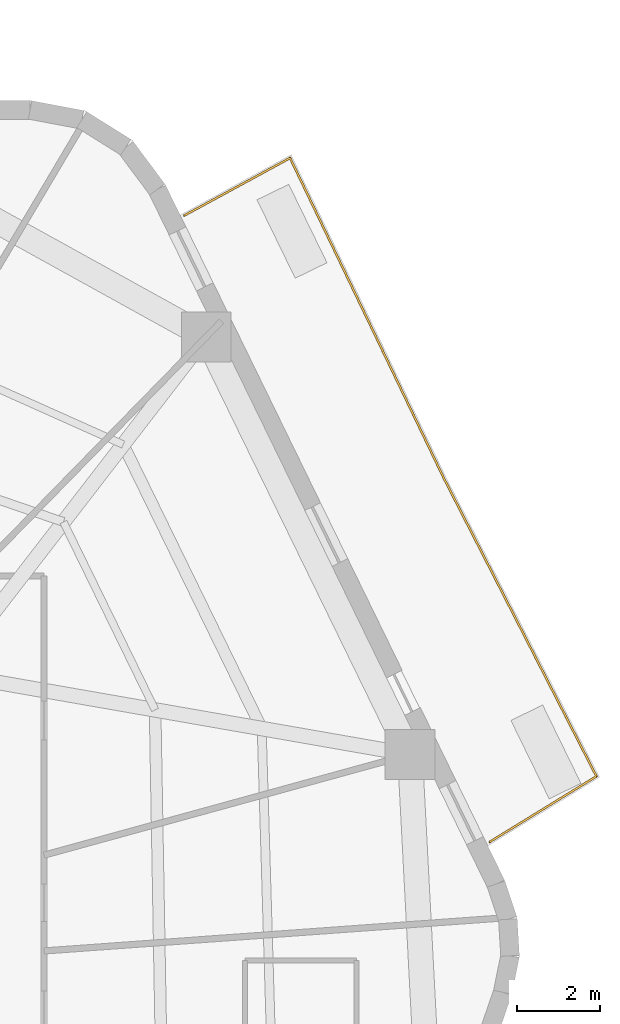
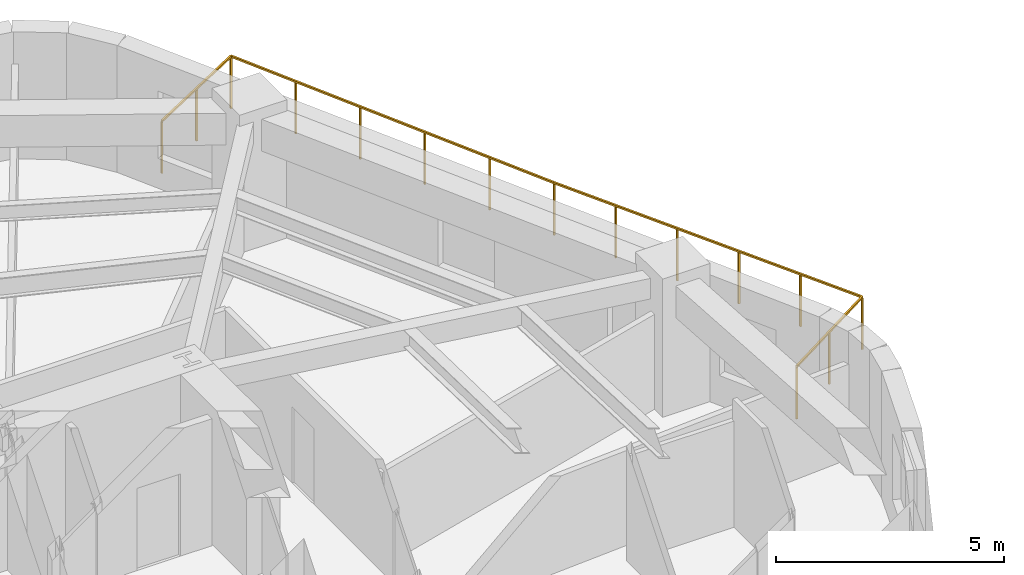
# One storey, part 10 of 10: 1 railing.
"""IFC4 building model written with IfcOpenShell, lengths in metres."""

from ifc_helpers import new_model, si_unit, direction, frame, origin, origin_2d, place, context, subcontext, project, spatial, rectangle, extrude, material, layer, layer_set, type_object, element, save


model = new_model("IFC4")

# Units and contexts
model_context = context("Model", 3, precision=1e-05, world=origin(), true_north=direction((0.0, 1.0)))
body_context = subcontext(model_context, "Body", "Model", "MODEL_VIEW")
ifc_project = project(units=[si_unit("LENGTHUNIT", "METRE"), si_unit("AREAUNIT", "SQUARE_METRE"), si_unit("VOLUMEUNIT", "CUBIC_METRE"), si_unit("PLANEANGLEUNIT", "RADIAN"), si_unit("MASSUNIT", "GRAM", prefix="KILO")], contexts=[model_context])

# Site, building, storey
site_placement = place(None, origin())
site = spatial("IfcSite", under=ifc_project, at=site_placement, CompositionType="ELEMENT")
building_placement = place(site_placement, origin())
building = spatial("IfcBuilding", under=site, at=building_placement, Name="Kilnhurst Terrace Hotel", CompositionType="ELEMENT")
storey_placement = place(building_placement, frame((0.0, 0.0, 95.10009765625)))
storey = spatial("IfcBuildingStorey", under=building, at=storey_placement, Name="L22", CompositionType="ELEMENT", Elevation=95.10009765625)

# Railing
ifc_material = material(Name="Laminated SentryGlas and Stainless Steel AISI 316L Balustrade", Category="steel")
ifc_layer = layer(ifc_material, 0.070068359375, Name="Laminated SentryGlas and Stainless Steel AISI 316L Balustrade")
ifc_layer_set = layer_set([ifc_layer], Name="Laminated SentryGlas and Stainless Steel AISI 316L Balustrade")
railing_type = type_object("IfcRailingType", Name="RLG-BAL-1420", PredefinedType="BALUSTRADE", material=ifc_layer_set)
railing_placement = place(storey_placement, frame((14.722900390625, 18.529541015625, 0.0)))
element("IfcRailing", 1, at=railing_placement, inside=storey, type_object=railing_type, Name="L22 Exterior Terrace Guardrail BAL-L1A.1", PredefinedType="BALUSTRADE", context=body_context, shape_type="SweptSolid", body=[
    extrude(rectangle(XDim=0.048095703125, YDim=0.048095703125, at=origin_2d()), frame((0.0, 0.0, 1.39599609375), z_axis=(0.878553207741, 0.477644492451, 0.0), x_axis=(-0.477644492451, 0.878553207741, 0.0)), (0.0, 0.0, 1.0), 2.90478515625),
    extrude(rectangle(XDim=0.048095703125, YDim=0.048095703125, at=origin_2d()), frame((2.552001953125, 1.387451171875, 1.39599609375), z_axis=(0.43291229924, -0.901436043858, 0.0), x_axis=(0.901436043858, 0.43291229924, 0.0)), (0.0, 0.0, 1.0), 8.583251953125),
    extrude(rectangle(XDim=0.048095703125, YDim=0.048095703125, at=origin_2d()), frame((6.267822265625, -6.349853515625, 1.39599609375), z_axis=(0.514495755428, -0.857492925713, 0.0), x_axis=(0.857492925713, 0.514495755428, 0.0)), (0.0, 0.0, 1.0), 0.00146484375),
    extrude(rectangle(XDim=0.048095703125, YDim=0.048095703125, at=origin_2d()), frame((6.2685546875, -6.35107421875, 1.39599609375), z_axis=(0.455744437697, -0.890110671494, 0.0), x_axis=(0.890110671494, 0.455744437697, 0.0)), (0.0, 0.0, 1.0), 8.039794921875),
    extrude(rectangle(XDim=0.048095703125, YDim=0.048095703125, at=origin_2d()), frame((9.9326171875, -13.50732421875, 1.39599609375), z_axis=(-0.85191630472, -0.523677963784, 0.0), x_axis=(0.523677963784, -0.85191630472, 0.0)), (0.0, 0.0, 1.0), 3.0205078125),
    extrude(rectangle(XDim=0.0419921875, YDim=0.0419921875, at=origin_2d()), origin(), (0.0, 0.0, 1.0), 1.371826171875),
    extrude(rectangle(XDim=0.0419921875, YDim=0.0419921875, at=origin_2d()), frame((1.27587890625, 0.69384765625, 0.0)), (0.0, 0.0, 1.0), 1.371826171875),
    extrude(rectangle(XDim=0.0419921875, YDim=0.0419921875, at=origin_2d()), frame((2.552001953125, 1.387451171875, 0.0)), (0.0, 0.0, 1.0), 1.371826171875),
    extrude(rectangle(XDim=0.0419921875, YDim=0.0419921875, at=origin_2d()), frame((3.295166015625, -0.159912109375, 0.0)), (0.0, 0.0, 1.0), 1.371826171875),
    extrude(rectangle(XDim=0.0419921875, YDim=0.0419921875, at=origin_2d()), frame((4.038330078125, -1.70751953125, 0.0)), (0.0, 0.0, 1.0), 1.371826171875),
    extrude(rectangle(XDim=0.0419921875, YDim=0.0419921875, at=origin_2d()), frame((4.781494140625, -3.2548828125, 0.0)), (0.0, 0.0, 1.0), 1.371826171875),
    extrude(rectangle(XDim=0.0419921875, YDim=0.0419921875, at=origin_2d()), frame((5.524658203125, -4.802490234375, 0.0)), (0.0, 0.0, 1.0), 1.371826171875),
    extrude(rectangle(XDim=0.0419921875, YDim=0.0419921875, at=origin_2d()), frame((6.267822265625, -6.349853515625, 0.0)), (0.0, 0.0, 1.0), 1.371826171875),
    extrude(rectangle(XDim=0.0419921875, YDim=0.0419921875, at=origin_2d()), frame((6.2685546875, -6.35107421875, 0.0)), (0.0, 0.0, 1.0), 1.371826171875),
    extrude(rectangle(XDim=0.0419921875, YDim=0.0419921875, at=origin_2d()), frame((7.00146484375, -7.7822265625, 0.0)), (0.0, 0.0, 1.0), 1.371826171875),
    extrude(rectangle(XDim=0.0419921875, YDim=0.0419921875, at=origin_2d()), frame((7.734130859375, -9.213623046875, 0.0)), (0.0, 0.0, 1.0), 1.371826171875),
    extrude(rectangle(XDim=0.0419921875, YDim=0.0419921875, at=origin_2d()), frame((8.467041015625, -10.644775390625, 0.0)), (0.0, 0.0, 1.0), 1.371826171875),
    extrude(rectangle(XDim=0.0419921875, YDim=0.0419921875, at=origin_2d()), frame((9.19970703125, -12.076171875, 0.0)), (0.0, 0.0, 1.0), 1.371826171875),
    extrude(rectangle(XDim=0.0419921875, YDim=0.0419921875, at=origin_2d()), frame((9.9326171875, -13.50732421875, 0.0)), (0.0, 0.0, 1.0), 1.371826171875),
    extrude(rectangle(XDim=0.0419921875, YDim=0.0419921875, at=origin_2d()), frame((8.64599609375, -14.29833984375, 0.0)), (0.0, 0.0, 1.0), 1.371826171875),
    extrude(rectangle(XDim=0.0419921875, YDim=0.0419921875, at=origin_2d()), frame((7.359375, -15.089111328125, 0.0)), (0.0, 0.0, 1.0), 1.371826171875),
])

save(model, "model.ifc")
